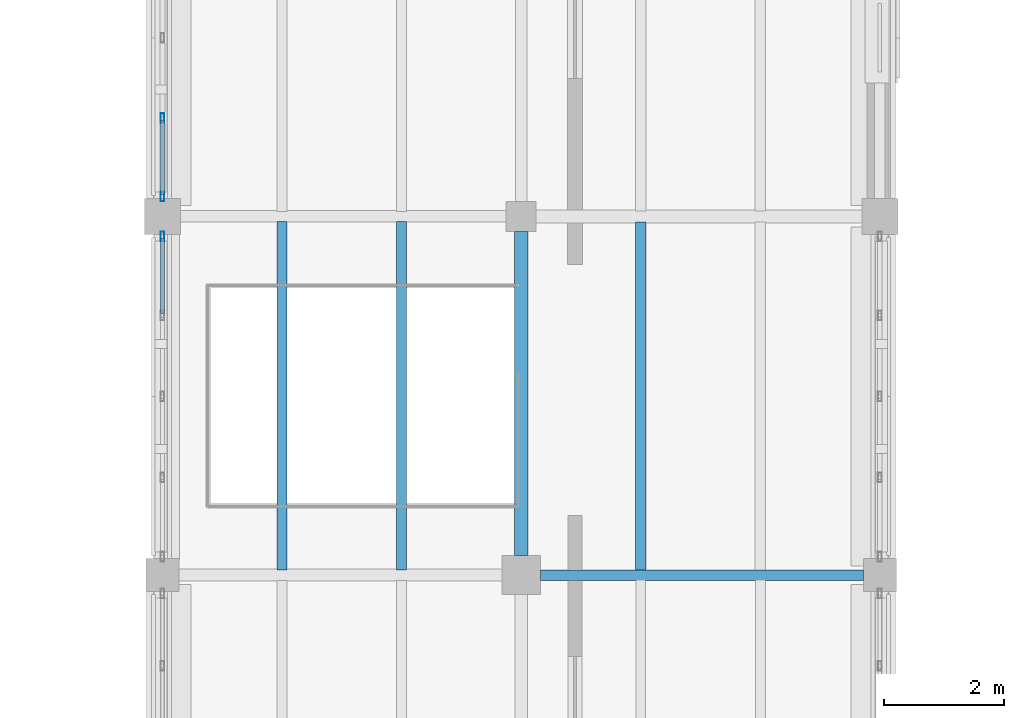
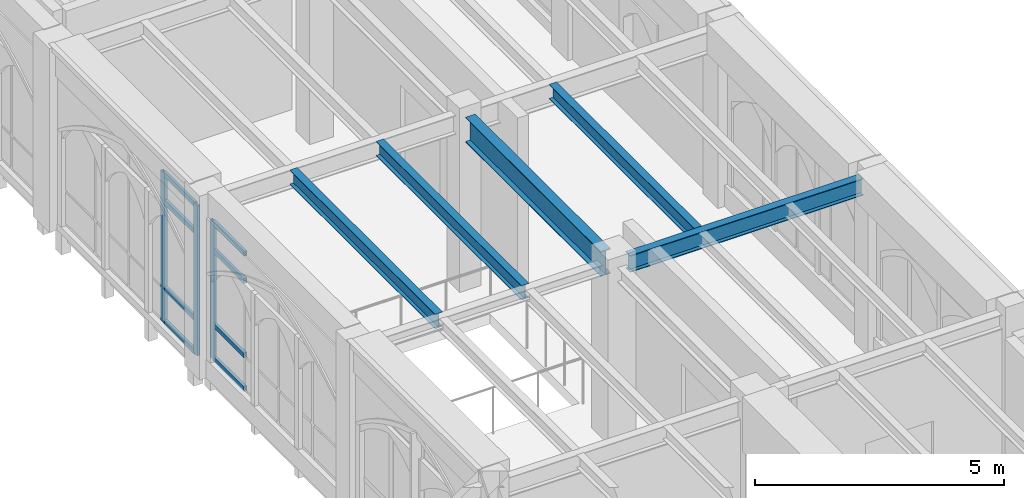
# One storey, part 20 of 127: 11 members, 5 beams, 2 elements without a shape of their own.
"""IFC4 building model written with IfcOpenShell, lengths in metres."""

from ifc_helpers import new_model, si_unit, direction, frame, origin, origin_2d, place, context, subcontext, project, spatial, hollow_rectangle, i_section, extrude, material, layer, layer_set, material_profile, profile_set, type_object, element, aggregate, save


model = new_model("IFC4")

# Units and contexts
model_context = context("Model", 3, precision=1e-05, world=origin(), true_north=direction((0.0, 1.0)))
body_context = subcontext(model_context, "Body", "Model", "MODEL_VIEW")
ifc_project = project(units=[si_unit("LENGTHUNIT", "METRE"), si_unit("AREAUNIT", "SQUARE_METRE"), si_unit("VOLUMEUNIT", "CUBIC_METRE"), si_unit("PLANEANGLEUNIT", "RADIAN"), si_unit("MASSUNIT", "GRAM", prefix="KILO")], contexts=[model_context])

# Site, building, storey
site_placement = place(None, origin())
site = spatial("IfcSite", under=ifc_project, at=site_placement, CompositionType="ELEMENT")
building_placement = place(site_placement, origin())
building = spatial("IfcBuilding", under=site, at=building_placement, Name="Cumevento Cable Car Station", CompositionType="ELEMENT")
storey_placement = place(building_placement, frame((0.0, 0.0, 4.5)))
storey = spatial("IfcBuildingStorey", under=building, at=storey_placement, Name="L02", CompositionType="ELEMENT", Elevation=4.5)

# Curtain wall, member
ifc_material_1 = material(Name="Anodised Bronze Aluminium AW-6063-T6", Category="aluminium")
ifc_layer_1 = layer(ifc_material_1, 0.196044921875)
ifc_layer_set_1 = layer_set([ifc_layer_1], Name="Anodised Bronze Aluminium AW-6063-T6")
curtain_wall_type_1 = type_object("IfcCurtainWallType", Name="Lancet Curtain Wall CW-07 1290", PredefinedType="NOTDEFINED", material=ifc_layer_set_1)
curtain_wall_1_placement = place(storey_placement, origin())
curtain_wall_1 = element("IfcCurtainWall", 1, at=curtain_wall_1_placement, inside=storey, type_object=curtain_wall_type_1, Name="Lancet Curtain Wall CW-07 L02 #38", PredefinedType="NOTDEFINED")
ifc_material_2 = material(Name="Anodised Bronze Aluminium AW-6063-T6", Category="aluminium")
ifc_material_profile_1 = material_profile(ifc_material_2, hollow_rectangle(XDim=0.06494140625, YDim=0.159912109375, WallThickness=0.00390625, at=origin_2d()), Name="ALUM65x160x4")
ifc_profile_set_1 = profile_set([ifc_material_profile_1], Name="Anodised Bronze Aluminium AW-6063-T6")
member_type_1 = type_object("IfcMemberType", Name="Curtain Mullion CWM-01 ALUM65x160x4", PredefinedType="MULLION", material=ifc_profile_set_1)
member_1_placement = place(storey_placement, frame((58.0, 20.66748046875, 0.4599609375), z_axis=(0.0, 0.0, 1.0), x_axis=(-1.0, 0.0, 0.0)))
member_1 = element("IfcMember", 2, at=member_1_placement, type_object=member_type_1, Name="CW-07 mullion 5", PredefinedType="MULLION", context=body_context, shape_type="SweptSolid", body=[
    extrude(hollow_rectangle(XDim=0.06494140625, YDim=0.159912109375, WallThickness=0.00390625, at=origin_2d()), origin(), (0.0, 0.0, 1.0), 3.373046875),
])

# Curtain wall, members
ifc_material_3 = material(Name="Anodised Bronze Aluminium AW-6063-T6", Category="aluminium")
ifc_layer_2 = layer(ifc_material_3, 0.2080078125)
ifc_layer_set_2 = layer_set([ifc_layer_2], Name="Anodised Bronze Aluminium AW-6063-T6")
curtain_wall_type_2 = type_object("IfcCurtainWallType", Name="Lancet Curtain Wall CW-09 1370", PredefinedType="NOTDEFINED", material=ifc_layer_set_2)
curtain_wall_2_placement = place(storey_placement, origin())
curtain_wall_2 = element("IfcCurtainWall", 3, at=curtain_wall_2_placement, inside=storey, type_object=curtain_wall_type_2, Name="Lancet Curtain Wall CW-09 L02 #40", PredefinedType="NOTDEFINED")
member_2_placement = place(storey_placement, frame((58.0, 21.33251953125, 0.159912109375), z_axis=(0.0, 0.0, 1.0), x_axis=(-1.0, 0.0, 0.0)))
member_2 = element("IfcMember", 4, at=member_2_placement, type_object=member_type_1, Name="CW-09 mullion 1", PredefinedType="MULLION", context=body_context, shape_type="SweptSolid", body=[
    extrude(hollow_rectangle(XDim=0.06494140625, YDim=0.159912109375, WallThickness=0.00390625, at=origin_2d()), origin(), (0.0, 0.0, 1.0), 3.673095703125),
])
member_3_placement = place(storey_placement, frame((58.0, 22.643798828125, 0.159912109375), z_axis=(0.0, 0.0, 1.0), x_axis=(-1.0, 0.0, 0.0)))
member_3 = element("IfcMember", 5, at=member_3_placement, type_object=member_type_1, Name="CW-09 mullion 2", PredefinedType="MULLION", context=body_context, shape_type="SweptSolid", body=[
    extrude(hollow_rectangle(XDim=0.06494140625, YDim=0.159912109375, WallThickness=0.00390625, at=origin_2d()), origin(), (0.0, 0.0, 1.0), 3.673095703125),
])

# Member
ifc_material_4 = material(Name="Anodised Bronze Aluminium AW-6063-T6", Category="aluminium")
ifc_material_profile_2 = material_profile(ifc_material_4, hollow_rectangle(XDim=0.06494140625, YDim=0.1201171875, WallThickness=0.00390625, at=origin_2d()), Name="ALUT65x120x4")
ifc_profile_set_2 = profile_set([ifc_material_profile_2], Name="Anodised Bronze Aluminium AW-6063-T6")
member_type_2 = type_object("IfcMemberType", Name="Curtain Transom CWT-01 ALUT65x120x4", PredefinedType="USERDEFINED", material=ifc_profile_set_2)
member_4_placement = place(storey_placement, frame((58.0, 19.376220703125, 0.492431640625), z_axis=(0.0, 1.0, 0.0), x_axis=(-1.0, 0.0, 0.0)))
member_4 = element("IfcMember", 6, at=member_4_placement, type_object=member_type_2, Name="CW-07 transom 4.1", ObjectType="TRANSOM", PredefinedType="USERDEFINED", context=body_context, shape_type="SweptSolid", body=[
    extrude(hollow_rectangle(XDim=0.06494140625, YDim=0.1201171875, WallThickness=0.00390625, at=origin_2d()), origin(), (0.0, 0.0, 1.0), 1.2587890625),
])

member_5_placement = place(storey_placement, frame((58.0, 19.376220703125, 1.31005859375), z_axis=(0.0, 1.0, 0.0), x_axis=(-1.0, 0.0, 0.0)))
member_5 = element("IfcMember", 7, at=member_5_placement, type_object=member_type_2, Name="CW-07 transom 4.2", ObjectType="TRANSOM", PredefinedType="USERDEFINED", context=body_context, shape_type="SweptSolid", body=[
    extrude(hollow_rectangle(XDim=0.06494140625, YDim=0.1201171875, WallThickness=0.00390625, at=origin_2d()), origin(), (0.0, 0.0, 1.0), 1.2587890625),
])

member_6_placement = place(storey_placement, frame((58.0, 19.376220703125, 3.133056640625), z_axis=(0.0, 1.0, 0.0), x_axis=(-1.0, 0.0, 0.0)))
member_6 = element("IfcMember", 8, at=member_6_placement, type_object=member_type_2, Name="CW-07 transom 4.3", ObjectType="TRANSOM", PredefinedType="USERDEFINED", context=body_context, shape_type="SweptSolid", body=[
    extrude(hollow_rectangle(XDim=0.06494140625, YDim=0.1201171875, WallThickness=0.00390625, at=origin_2d()), origin(), (0.0, 0.0, 1.0), 1.2587890625),
])

member_7_placement = place(storey_placement, frame((58.0, 19.376220703125, 3.800537109375), z_axis=(0.0, 1.0, 0.0), x_axis=(-1.0, 0.0, 0.0)))
member_7 = element("IfcMember", 9, at=member_7_placement, type_object=member_type_2, Name="CW-07 transom 4.4", ObjectType="TRANSOM", PredefinedType="USERDEFINED", context=body_context, shape_type="SweptSolid", body=[
    extrude(hollow_rectangle(XDim=0.06494140625, YDim=0.1201171875, WallThickness=0.00390625, at=origin_2d()), origin(), (0.0, 0.0, 1.0), 1.2587890625),
])

aggregate(curtain_wall_1, [member_1, member_4, member_5, member_6, member_7])

member_8_placement = place(storey_placement, frame((58.0, 21.364990234375, 0.1923828125), z_axis=(0.0, 1.0, 0.0), x_axis=(-1.0, 0.0, 0.0)))
member_8 = element("IfcMember", 10, at=member_8_placement, type_object=member_type_2, Name="CW-09 transom 1.1", ObjectType="TRANSOM", PredefinedType="USERDEFINED", context=body_context, shape_type="SweptSolid", body=[
    extrude(hollow_rectangle(XDim=0.06494140625, YDim=0.1201171875, WallThickness=0.00390625, at=origin_2d()), origin(), (0.0, 0.0, 1.0), 1.246337890625),
])

member_9_placement = place(storey_placement, frame((58.0, 21.364990234375, 1.010009765625), z_axis=(0.0, 1.0, 0.0), x_axis=(-1.0, 0.0, 0.0)))
member_9 = element("IfcMember", 11, at=member_9_placement, type_object=member_type_2, Name="CW-09 transom 1.2", ObjectType="TRANSOM", PredefinedType="USERDEFINED", context=body_context, shape_type="SweptSolid", body=[
    extrude(hollow_rectangle(XDim=0.06494140625, YDim=0.1201171875, WallThickness=0.00390625, at=origin_2d()), origin(), (0.0, 0.0, 1.0), 1.246337890625),
])

member_10_placement = place(storey_placement, frame((58.0, 21.364990234375, 3.133056640625), z_axis=(0.0, 1.0, 0.0), x_axis=(-1.0, 0.0, 0.0)))
member_10 = element("IfcMember", 12, at=member_10_placement, type_object=member_type_2, Name="CW-09 transom 1.3", ObjectType="TRANSOM", PredefinedType="USERDEFINED", context=body_context, shape_type="SweptSolid", body=[
    extrude(hollow_rectangle(XDim=0.06494140625, YDim=0.1201171875, WallThickness=0.00390625, at=origin_2d()), origin(), (0.0, 0.0, 1.0), 1.246337890625),
])

member_11_placement = place(storey_placement, frame((58.0, 21.364990234375, 3.800537109375), z_axis=(0.0, 1.0, 0.0), x_axis=(-1.0, 0.0, 0.0)))
member_11 = element("IfcMember", 13, at=member_11_placement, type_object=member_type_2, Name="CW-09 transom 1.4", ObjectType="TRANSOM", PredefinedType="USERDEFINED", context=body_context, shape_type="SweptSolid", body=[
    extrude(hollow_rectangle(XDim=0.06494140625, YDim=0.1201171875, WallThickness=0.00390625, at=origin_2d()), origin(), (0.0, 0.0, 1.0), 1.246337890625),
])

aggregate(curtain_wall_2, [member_2, member_3, member_8, member_9, member_10, member_11])

# Beams
ifc_material_5 = material(Name="Steel ASTM A572 Grade 50", Category="steel")
ifc_material_profile_3 = material_profile(ifc_material_5, i_section(OverallWidth=0.22802734375, OverallDepth=0.60791015625, WebThickness=0.01123046875, FlangeThickness=0.017333984375, at=origin_2d()), Name="W610x113.0")
ifc_profile_set_3 = profile_set([ifc_material_profile_3], Name="Steel ASTM A572 Grade 50")
beam_type_1 = type_object("IfcBeamType", Name="Structural Beam BM-02 W610x113.0", PredefinedType="BEAM", material=ifc_profile_set_3)
beam_1_placement = place(storey_placement, frame((64.0, 15.324951171875, 3.93603515625), z_axis=(0.0, 1.0, 0.0), x_axis=(-1.0, 0.0, 0.0)))
element("IfcBeam", 14, at=beam_1_placement, inside=storey, type_object=beam_type_1, Name="Beam BM-02 L02 #493", PredefinedType="BEAM", context=body_context, shape_type="SweptSolid", body=[
    extrude(i_section(OverallWidth=0.22802734375, OverallDepth=0.60791015625, WebThickness=0.01123046875, FlangeThickness=0.017333984375, at=origin_2d()), origin(), (0.0, 0.0, 1.0), 5.425048828125),
])
ifc_material_6 = material(Name="Steel ASTM A572 Grade 50", Category="steel")
ifc_material_profile_4 = material_profile(ifc_material_6, i_section(OverallWidth=0.179931640625, OverallDepth=0.4130859375, WebThickness=0.009765625, FlangeThickness=0.01611328125, at=origin_2d()), Name="W410x74.0")
ifc_profile_set_4 = profile_set([ifc_material_profile_4], Name="Steel ASTM A572 Grade 50")
beam_type_2 = type_object("IfcBeamType", Name="Structural Beam BM-09 W410x74.0", PredefinedType="BEAM", material=ifc_profile_set_4)
beam_2_placement = place(storey_placement, frame((64.324951171875, 15.0, 4.033447265625), z_axis=(1.0, 0.0, 0.0), x_axis=(0.0, 1.0, 0.0)))
element("IfcBeam", 15, at=beam_2_placement, inside=storey, type_object=beam_type_2, Name="Beam BM-09 L02 #478", PredefinedType="BEAM", context=body_context, shape_type="SweptSolid", body=[
    extrude(i_section(OverallWidth=0.179931640625, OverallDepth=0.4130859375, WebThickness=0.009765625, FlangeThickness=0.01611328125, at=origin_2d()), origin(), (0.0, 0.0, 1.0), 5.400146484375),
])
ifc_material_7 = material(Name="Steel ASTM A572 Grade 50", Category="steel")
ifc_material_profile_5 = material_profile(ifc_material_7, i_section(OverallWidth=0.1708984375, OverallDepth=0.35498046875, WebThickness=0.007080078125, FlangeThickness=0.01171875, at=origin_2d()), Name="W360x51.0")
ifc_profile_set_5 = profile_set([ifc_material_profile_5], Name="Steel ASTM A572 Grade 50")
beam_type_3 = type_object("IfcBeamType", Name="Structural Joist JS-01 W360x51.0", PredefinedType="JOIST", material=ifc_profile_set_5)
for number, where, z_axis, x_axis, name in (
    (16, (60.0, 15.089599609375, 4.0625), (0.0, 1.0, 0.0), (-1.0, 0.0, 0.0), "Composite Floor Joist JS-01 L02 #753"),
    (17, (62.0, 15.089599609375, 4.0625), (0.0, 1.0, 0.0), (-1.0, 0.0, 0.0), "Composite Floor Joist JS-01 L02 #757"),
):
    element("IfcBeam", number, at=place(storey_placement, frame(where, z_axis=z_axis, x_axis=x_axis)), inside=storey, type_object=beam_type_3, Name=name, PredefinedType="JOIST", context=body_context, shape_type="SweptSolid", body=[
        extrude(i_section(OverallWidth=0.1708984375, OverallDepth=0.35498046875, WebThickness=0.007080078125, FlangeThickness=0.01171875, at=origin_2d()), origin(), (0.0, 0.0, 1.0), 5.826416015625),
    ])
beam_3_placement = place(storey_placement, frame((66.0, 15.077880859375, 4.0625), z_axis=(0.0, 1.0, 0.0), x_axis=(-1.0, 0.0, 0.0)))
element("IfcBeam", 18, at=beam_3_placement, inside=storey, type_object=beam_type_3, Name="Composite Floor Joist JS-01 L02 #761", PredefinedType="JOIST", context=body_context, shape_type="SweptSolid", body=[
    extrude(i_section(OverallWidth=0.1708984375, OverallDepth=0.35498046875, WebThickness=0.007080078125, FlangeThickness=0.01171875, at=origin_2d()), origin(), (0.0, 0.0, 1.0), 5.82861328125),
])

save(model, "model.ifc")
